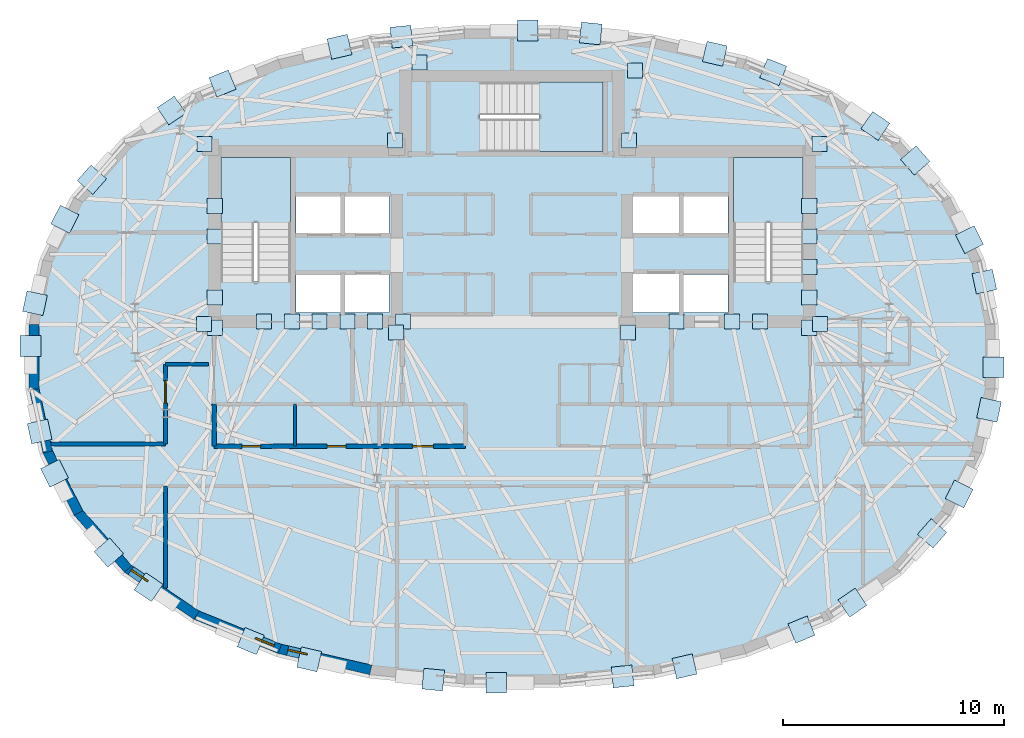
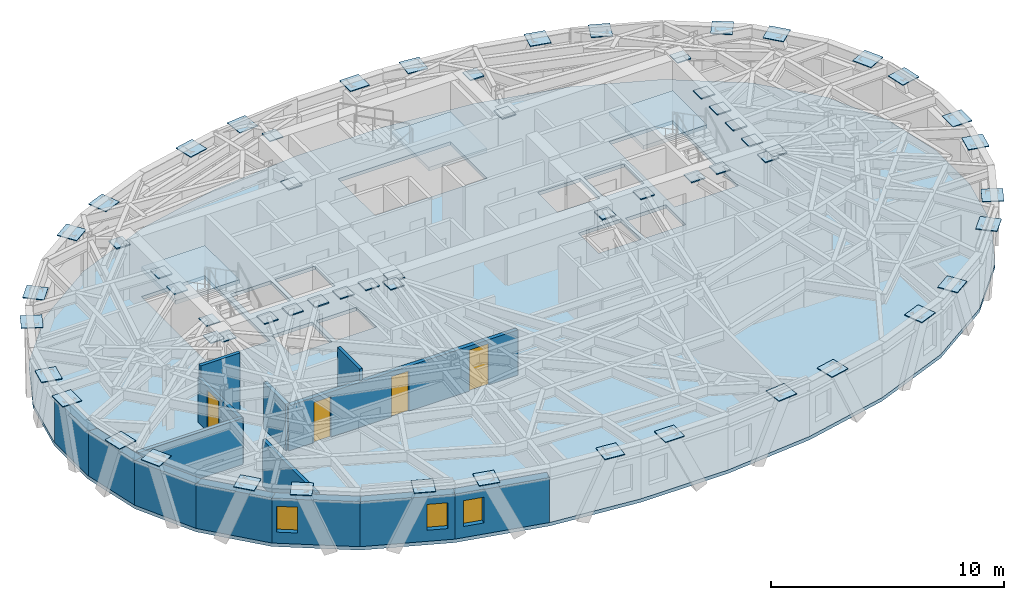
# One storey, part 5 of 12: 60 plates, 14 walls, 4 doors, 4 slabs, 3 windows, 7 openings, 3 elements without a shape of their own.
"""IFC4 building model written with IfcOpenShell, lengths in metres."""

from ifc_helpers import new_model, si_unit, direction, frame, frame_2d, origin, origin_2d, place, context, subcontext, project, spatial, polyline, rectangle, outline, extrude, material, layer, layer_set, type_object, element, fill, aggregate, save


model = new_model("IFC4")

# Units and contexts
model_context = context("Model", 3, precision=1e-05, world=origin(), true_north=direction((0.0, 1.0)))
body_context = subcontext(model_context, "Body", "Model", "MODEL_VIEW")
ifc_project = project(units=[si_unit("LENGTHUNIT", "METRE"), si_unit("AREAUNIT", "SQUARE_METRE"), si_unit("VOLUMEUNIT", "CUBIC_METRE"), si_unit("PLANEANGLEUNIT", "RADIAN"), si_unit("MASSUNIT", "GRAM", prefix="KILO")], contexts=[model_context])

# Site, building, storey
site_placement = place(None, origin())
site = spatial("IfcSite", under=ifc_project, at=site_placement, CompositionType="ELEMENT")
building_placement = place(site_placement, origin())
building = spatial("IfcBuilding", under=site, at=building_placement, Name="Keldmark Tower", CompositionType="ELEMENT")
storey_placement = place(building_placement, frame((0.0, 0.0, 238.35009765625)))
storey = spatial("IfcBuildingStorey", under=building, at=storey_placement, Name="L67", CompositionType="ELEMENT", Elevation=238.35009765625)

# Plates
ifc_material_1 = material(Name="Steel ASTM A572 Grade 50", Category="steel")
ifc_layer_1 = layer(ifc_material_1, 0.06005859375)
ifc_layer_set_1 = layer_set([ifc_layer_1], Name="Steel ASTM A572 Grade 50")
plate_type_1 = type_object("IfcPlateType", Name="Belt Truss Kink Node Assembly KN01 60 mm", PredefinedType="USERDEFINED", material=ifc_layer_set_1)
for number, where, z_axis, x_axis, name in (
    (1, (13.91162109375, 1.473388671875, 2.677734375), (0.0, 0.0, 1.0), (1.0, 0.0, 0.0), "L67 Core Wall Cast-In Embed Plate 1952"),
    (2, (13.878173828125, 9.608154296875, 2.677734375), (0.0, 0.0, 1.0), (1.0, 0.0, 0.0), "L67 Core Wall Cast-In Embed Plate 1953"),
    (3, (5.28515625, 9.758544921875, 2.677734375), (0.0, 0.0, 1.0), (1.0, 0.0, 0.0), "L67 Core Wall Cast-In Embed Plate 1954"),
    (4, (-5.28515625, 9.758544921875, 2.677734375), (0.0, 0.0, 1.0), (1.0, 0.0, 0.0), "L67 Core Wall Cast-In Embed Plate 1955"),
    (5, (-13.878173828125, 9.608154296875, 2.677734375), (0.0, 0.0, 1.0), (1.0, 0.0, 0.0), "L67 Core Wall Cast-In Embed Plate 1956"),
    (6, (-13.91162109375, 1.473388671875, 2.677734375), (0.0, 0.0, 1.0), (1.0, 0.0, 0.0), "L67 Core Wall Cast-In Embed Plate 1957"),
    (7, (-5.24072265625, 1.08251953125, 2.677734375), (0.0, 0.0, 1.0), (1.0, 0.0, 0.0), "L67 Core Wall Cast-In Embed Plate 1958"),
    (8, (5.24072265625, 1.08251953125, 2.677734375), (0.0, 0.0, 1.0), (1.0, 0.0, 0.0), "L67 Core Wall Cast-In Embed Plate 1959"),
    (9, (-13.425048828125, 5.425048828125, 2.673828125), (0.0, 0.0, 1.0), (1.0, 0.0, 0.0), "L67 Core Wall Cast-In Embed Plate 1960"),
    (10, (-11.19287109375, 1.574951171875, 2.673828125), (0.0, 0.0, 1.0), (1.0, 0.0, 0.0), "L67 Core Wall Cast-In Embed Plate 1961"),
    (11, (-7.43212890625, 1.574951171875, 2.673828125), (0.0, 0.0, 1.0), (1.0, 0.0, 0.0), "L67 Core Wall Cast-In Embed Plate 1962"),
    (12, (7.43212890625, 1.574951171875, 2.673828125), (0.0, 0.0, 1.0), (1.0, 0.0, 0.0), "L67 Core Wall Cast-In Embed Plate 1963"),
    (13, (11.19287109375, 1.574951171875, 2.673828125), (0.0, 0.0, 1.0), (1.0, 0.0, 0.0), "L67 Core Wall Cast-In Embed Plate 1964"),
    (14, (13.425048828125, 5.425048828125, 2.673828125), (0.0, 0.0, 1.0), (1.0, 0.0, 0.0), "L67 Core Wall Cast-In Embed Plate 1965"),
    (15, (-9.939208984375, 1.574951171875, 2.673828125), (0.0, 0.0, 1.0), (1.0, 0.0, 0.0), "L67 Core Wall Cast-In Embed Plate 1966"),
    (16, (-6.1787109375, 1.574951171875, 2.673828125), (0.0, 0.0, 1.0), (1.0, 0.0, 0.0), "L67 Core Wall Cast-In Embed Plate 1967"),
    (17, (9.939208984375, 1.574951171875, 2.673828125), (0.0, 0.0, 1.0), (1.0, 0.0, 0.0), "L67 Core Wall Cast-In Embed Plate 1968"),
    (18, (13.425048828125, 4.050048828125, 2.673828125), (0.0, 0.0, 1.0), (1.0, 0.0, 0.0), "L67 Core Wall Cast-In Embed Plate 1969"),
    (19, (13.425048828125, 6.800048828125, 2.673828125), (0.0, 0.0, 1.0), (1.0, 0.0, 0.0), "L67 Core Wall Cast-In Embed Plate 1970"),
    (20, (-13.425048828125, 2.675048828125, 2.673828125), (0.0, 0.0, 1.0), (1.0, 0.0, 0.0), "L67 Core Wall Cast-In Embed Plate 1971"),
    (21, (-8.685791015625, 1.574951171875, 2.673828125), (0.0, 0.0, 1.0), (1.0, 0.0, 0.0), "L67 Core Wall Cast-In Embed Plate 1972"),
    (22, (-13.425048828125, 1.300048828125, 2.673828125), (0.0, 0.0, 1.0), (1.0, 0.0, 0.0), "L67 Core Wall Cast-In Embed Plate 1973"),
    (23, (-4.925048828125, 1.574951171875, 2.673828125), (0.0, 0.0, 1.0), (1.0, 0.0, 0.0), "L67 Core Wall Cast-In Embed Plate 1974"),
    (24, (13.425048828125, 1.300048828125, 2.673828125), (0.0, 0.0, 1.0), (1.0, 0.0, 0.0), "L67 Core Wall Cast-In Embed Plate 1975"),
    (25, (13.425048828125, 2.675048828125, 2.673828125), (0.0, 0.0, 1.0), (1.0, 0.0, 0.0), "L67 Core Wall Cast-In Embed Plate 1976"),
    (26, (5.546142578125, 12.919921875, 2.673828125), (0.0, 0.0, 1.0), (1.0, 0.0, 0.0), "L67 Core Wall Cast-In Embed Plate 1977"),
    (27, (-4.1806640625, 13.272705078125, 2.673828125), (0.0, 0.0, 1.0), (1.0, 0.0, 0.0), "L67 Core Wall Cast-In Embed Plate 1978"),
    (28, (-13.425048828125, 6.800048828125, 2.673828125), (0.0, 0.0, 1.0), (1.0, 0.0, 0.0), "L67 Core Wall Cast-In Embed Plate 1979"),
):
    element("IfcPlate", number, at=place(storey_placement, frame(where, z_axis=z_axis, x_axis=x_axis)), inside=storey, type_object=plate_type_1, Name=name, ObjectType="CAP PLATE", PredefinedType="USERDEFINED", context=body_context, shape_type="SweptSolid", body=[
        extrude(rectangle(XDim=0.679931640625, YDim=0.679931640625, at=origin_2d()), origin(), (0.0, 0.0, 1.0), 0.054931640625),
    ])
ifc_material_2 = material(Name="Steel ASTM A572 Grade 50", Category="steel")
ifc_layer_2 = layer(ifc_material_2, 0.0400390625)
ifc_layer_set_2 = layer_set([ifc_layer_2], Name="Steel ASTM A572 Grade 50")
plate_type_2 = type_object("IfcPlateType", Name="Diagrid Node Assembly DN05 40 mm", PredefinedType="USERDEFINED", material=ifc_layer_set_2)
for number, where, z_axis, x_axis, name in (
    (29, (21.3330078125, 3.384765625, 2.829833984375), (0.0, 0.0, 1.0), (-0.210471759821, 0.977599937765, 0.0), "L67 Diagrid Node Assembly 01"),
    (30, (20.6572265625, 5.27685546875, 2.829833984375), (0.0, 0.0, 1.0), (-0.448539214018, 0.893763152903, 0.0), "L67 Diagrid Node Assembly 02"),
    (31, (18.20849609375, 8.85498046875, 2.829833984375), (0.0, 0.0, 1.0), (-0.661311865324, 0.75011106963, 0.0), "L67 Diagrid Node Assembly 03"),
    (32, (16.412109375, 10.412841796875, 2.829833984375), (0.0, 0.0, 1.0), (-0.827668733006, 0.561216953062, 0.0), "L67 Diagrid Node Assembly 04"),
    (33, (11.797119140625, 12.849609375, 2.829833984375), (0.0, 0.0, 1.0), (-0.92672549442, 0.375739082333, 0.0), "L67 Diagrid Node Assembly 05"),
    (34, (9.160400390625, 13.6748046875, 2.829833984375), (0.0, 0.0, 1.0), (-0.97440931131, 0.224780991261, 0.0), "L67 Diagrid Node Assembly 06"),
    (35, (3.556640625, 14.590087890625, 2.829833984375), (0.0, 0.0, 1.0), (-0.995124665732, 0.098625045759, 0.0), "L67 Diagrid Node Assembly 07"),
    (36, (0.710205078125, 14.72900390625, 2.829833984375), (0.0, 0.0, 1.0), (-1.0, 0.0, 0.0), "L67 Diagrid Node Assembly 08"),
    (37, (-4.994140625, 14.446533203125, 2.829833984375), (0.0, 0.0, 1.0), (-0.995124665732, -0.098625045759, 0.0), "L67 Diagrid Node Assembly 09"),
    (38, (-7.7900390625, 13.989013671875, 2.829833984375), (0.0, 0.0, 1.0), (-0.97440931131, -0.224780991261, 0.0), "L67 Diagrid Node Assembly 10"),
    (39, (-13.072265625, 12.330078125, 2.829833984375), (0.0, 0.0, 1.0), (-0.92672549442, -0.375739082333, 0.0), "L67 Diagrid Node Assembly 11"),
    (40, (-15.3740234375, 11.114013671875, 2.829833984375), (0.0, 0.0, 1.0), (-0.827668733006, -0.561216953062, 0.0), "L67 Diagrid Node Assembly 12"),
    (41, (-18.9716796875, 7.9873046875, 2.829833984375), (0.0, 0.0, 1.0), (-0.661311865324, -0.75011106963, 0.0), "L67 Diagrid Node Assembly 13"),
    (42, (-20.191650390625, 6.202392578125, 2.829833984375), (0.0, 0.0, 1.0), (-0.448539214018, -0.893763152903, 0.0), "L67 Diagrid Node Assembly 14"),
    (43, (-21.543701171875, 2.40625, 2.829833984375), (0.0, 0.0, 1.0), (-0.210471759821, -0.977599937765, 0.0), "L67 Diagrid Node Assembly 15"),
    (44, (-21.74951171875, 0.4794921875, 2.829833984375), (0.0, 0.0, 1.0), (0.0, -1.0, 0.0), "L67 Diagrid Node Assembly 16"),
    (45, (-21.3330078125, -3.384765625, 2.829833984375), (0.0, 0.0, 1.0), (0.210471759821, -0.977599937765, 0.0), "L67 Diagrid Node Assembly 17"),
    (46, (-20.6572265625, -5.27685546875, 2.829833984375), (0.0, 0.0, 1.0), (0.448539214018, -0.893763152903, 0.0), "L67 Diagrid Node Assembly 18"),
    (47, (-18.20849609375, -8.85498046875, 2.829833984375), (0.0, 0.0, 1.0), (0.661311865324, -0.75011106963, 0.0), "L67 Diagrid Node Assembly 19"),
    (48, (-16.412109375, -10.412841796875, 2.829833984375), (0.0, 0.0, 1.0), (0.827668733006, -0.561216953062, 0.0), "L67 Diagrid Node Assembly 20"),
    (49, (-11.797119140625, -12.849609375, 2.829833984375), (0.0, 0.0, 1.0), (0.92672549442, -0.375739082333, 0.0), "L67 Diagrid Node Assembly 21"),
    (50, (-9.160400390625, -13.6748046875, 2.829833984375), (0.0, 0.0, 1.0), (0.97440931131, -0.224780991261, 0.0), "L67 Diagrid Node Assembly 22"),
    (51, (-3.556640625, -14.590087890625, 2.829833984375), (0.0, 0.0, 1.0), (0.995124665732, -0.098625045759, 0.0), "L67 Diagrid Node Assembly 23"),
    (52, (-0.710205078125, -14.72900390625, 2.829833984375), (0.0, 0.0, 1.0), (1.0, 0.0, 0.0), "L67 Diagrid Node Assembly 24"),
    (53, (4.994140625, -14.446533203125, 2.829833984375), (0.0, 0.0, 1.0), (0.995124665732, 0.098625045759, 0.0), "L67 Diagrid Node Assembly 25"),
    (54, (7.7900390625, -13.989013671875, 2.829833984375), (0.0, 0.0, 1.0), (0.97440931131, 0.224780991261, 0.0), "L67 Diagrid Node Assembly 26"),
    (55, (13.072265625, -12.330078125, 2.829833984375), (0.0, 0.0, 1.0), (0.92672549442, 0.375739082333, 0.0), "L67 Diagrid Node Assembly 27"),
    (56, (15.3740234375, -11.114013671875, 2.829833984375), (0.0, 0.0, 1.0), (0.827668733006, 0.561216953062, 0.0), "L67 Diagrid Node Assembly 28"),
    (57, (18.9716796875, -7.9873046875, 2.829833984375), (0.0, 0.0, 1.0), (0.661311865324, 0.75011106963, 0.0), "L67 Diagrid Node Assembly 29"),
    (58, (20.191650390625, -6.202392578125, 2.829833984375), (0.0, 0.0, 1.0), (0.448539214018, 0.893763152903, 0.0), "L67 Diagrid Node Assembly 30"),
    (59, (21.543701171875, -2.40625, 2.829833984375), (0.0, 0.0, 1.0), (0.210471759821, 0.977599937765, 0.0), "L67 Diagrid Node Assembly 31"),
    (60, (21.74951171875, -0.4794921875, 2.829833984375), (0.0, 0.0, 1.0), (0.0, 1.0, 0.0), "L67 Diagrid Node Assembly 32"),
):
    element("IfcPlate", number, at=place(storey_placement, frame(where, z_axis=z_axis, x_axis=x_axis)), inside=storey, type_object=plate_type_2, Name=name, ObjectType="GUSSET", PredefinedType="USERDEFINED", context=body_context, shape_type="SweptSolid", body=[
        extrude(rectangle(XDim=0.93994140625, YDim=0.93994140625, at=origin_2d()), origin(), (0.0, 0.0, 1.0), 0.0400390625),
    ])

# Slab
ifc_material_3 = material(Name="Concrete C35/45", Category="concrete")
ifc_layer_3 = layer(ifc_material_3, 0.179931640625)
ifc_layer_set_3 = layer_set([ifc_layer_3], Name="Concrete C35/45")
slab_type_1 = type_object("IfcSlabType", Name="Hotel and Residential Slab 180 mm", PredefinedType="FLOOR", material=ifc_layer_set_3)
slab_1_placement = place(storey_placement, frame((0.0, 0.0, -0.18017578125)))
element("IfcSlab", 61, at=slab_1_placement, inside=storey, type_object=slab_type_1, Name="L67 Composite Structural Floor Slab", PredefinedType="FLOOR", context=body_context, shape_type="SweptSolid", body=[
    extrude(outline(polyline([(21.809326171875, 1.45654296875), (21.1845703125, 4.357666015625), (19.774658203125, 7.167236328125), (17.5048828125, 9.741455078125), (14.365966796875, 11.8701171875), (10.56982421875, 13.4091796875), (6.42626953125, 14.364990234375), (2.14794921875, 14.788818359375), (-2.14794921875, 14.788818359375), (-6.42626953125, 14.364990234375), (-10.56982421875, 13.4091796875), (-14.365966796875, 11.8701171875), (-17.5048828125, 9.741455078125), (-19.774658203125, 7.167236328125), (-21.1845703125, 4.357666015625), (-21.809326171875, 1.45654296875), (-21.809326171875, -1.45654296875), (-21.1845703125, -4.357666015625), (-19.774658203125, -7.167236328125), (-17.5048828125, -9.741455078125), (-14.365966796875, -11.8701171875), (-10.56982421875, -13.4091796875), (-6.42626953125, -14.364990234375), (-2.14794921875, -14.788818359375), (2.14794921875, -14.788818359375), (6.42626953125, -14.364990234375), (10.56982421875, -13.4091796875), (14.365966796875, -11.8701171875), (17.5048828125, -9.741455078125), (19.774658203125, -7.167236328125), (21.1845703125, -4.357666015625), (21.809326171875, -1.45654296875), (21.809326171875, 1.45654296875)]), holes=[polyline([(-10.0, 3.385009765625), (-10.0, 9.0), (-13.14990234375, 9.0), (-13.14990234375, 3.385009765625), (-10.0, 3.385009765625)]), polyline([(13.14990234375, 3.385009765625), (13.14990234375, 9.0), (10.0, 9.0), (10.0, 3.385009765625), (13.14990234375, 3.385009765625)]), polyline([(-1.43994140625, 9.25), (4.10498046875, 9.25), (4.10498046875, 12.39990234375), (-1.43994140625, 12.39990234375), (-1.43994140625, 9.25)]), polyline([(-9.75, 2.0), (-7.75, 2.0), (-7.75, 3.699951171875), (-9.75, 3.699951171875), (-9.75, 2.0)]), polyline([(7.75, 2.0), (9.75, 2.0), (9.75, 3.699951171875), (7.75, 3.699951171875), (7.75, 2.0)]), polyline([(5.449951171875, 2.0), (7.550048828125, 2.0), (7.550048828125, 3.75), (5.449951171875, 3.75), (5.449951171875, 2.0)]), polyline([(-9.75, 5.550048828125), (-7.75, 5.550048828125), (-7.75, 7.25), (-9.75, 7.25), (-9.75, 5.550048828125)]), polyline([(-7.550048828125, 5.550048828125), (-5.550048828125, 5.550048828125), (-5.550048828125, 7.25), (-7.550048828125, 7.25), (-7.550048828125, 5.550048828125)]), polyline([(-7.550048828125, 2.0), (-5.550048828125, 2.0), (-5.550048828125, 3.699951171875), (-7.550048828125, 3.699951171875), (-7.550048828125, 2.0)]), polyline([(5.449951171875, 5.550048828125), (7.550048828125, 5.550048828125), (7.550048828125, 7.25), (5.449951171875, 7.25), (5.449951171875, 5.550048828125)]), polyline([(7.75, 5.550048828125), (9.75, 5.550048828125), (9.75, 7.25), (7.75, 7.25), (7.75, 5.550048828125)])]), origin(), (0.0, 0.0, 1.0), 0.18017578125),
])

# Stair, slab
ifc_material_4 = material(Name="Concrete C40/50", Category="concrete")
stair_type = type_object("IfcStairType", Name="Precast Concrete Core Exit Stair", PredefinedType="HALF_TURN_STAIR", material=ifc_material_4)
stair_1_placement = place(storey_placement, origin())
stair_1 = element("IfcStair", 62, at=stair_1_placement, inside=storey, type_object=stair_type, Name="L67 Exit Stair ST1", PredefinedType="HALF_TURN_STAIR")
ifc_material_5 = material(Name="Concrete C40/50", Category="concrete")
ifc_layer_4 = layer(ifc_material_5, 0.199951171875)
ifc_layer_set_4 = layer_set([ifc_layer_4], Name="Concrete C40/50")
slab_type_2 = type_object("IfcSlabType", Name="Reinforced Concrete Stair Landing 200 mm", PredefinedType="LANDING", material=ifc_layer_set_4)
slab_2_placement = place(storey_placement, frame((0.0, 0.0, 1.375)))
slab_2 = element("IfcSlab", 63, at=slab_2_placement, type_object=slab_type_2, Name="ST1 landing 1", PredefinedType="LANDING", context=body_context, shape_type="SweptSolid", body=[
    extrude(outline(polyline([(-10.0, 6.050048828125), (-10.0, 9.0), (-13.14990234375, 9.0), (-13.14990234375, 6.050048828125), (-10.0, 6.050048828125)])), origin(), (0.0, 0.0, 1.0), 0.199951171875),
])
aggregate(stair_1, [slab_2])

stair_2_placement = place(storey_placement, origin())
stair_2 = element("IfcStair", 64, at=stair_2_placement, inside=storey, type_object=stair_type, Name="L67 Exit Stair ST2", PredefinedType="HALF_TURN_STAIR")
slab_3_placement = place(storey_placement, frame((0.0, 0.0, 1.375)))
slab_3 = element("IfcSlab", 65, at=slab_3_placement, type_object=slab_type_2, Name="ST2 landing 1", PredefinedType="LANDING", context=body_context, shape_type="SweptSolid", body=[
    extrude(outline(polyline([(13.14990234375, 6.050048828125), (13.14990234375, 9.0), (10.0, 9.0), (10.0, 6.050048828125), (13.14990234375, 6.050048828125)])), origin(), (0.0, 0.0, 1.0), 0.199951171875),
])
aggregate(stair_2, [slab_3])

stair_3_placement = place(storey_placement, origin())
stair_3 = element("IfcStair", 66, at=stair_3_placement, inside=storey, type_object=stair_type, Name="L67 Exit Stair ST3", PredefinedType="HALF_TURN_STAIR")
slab_4_placement = place(storey_placement, frame((0.0, 0.0, 1.375)))
slab_4 = element("IfcSlab", 67, at=slab_4_placement, type_object=slab_type_2, Name="ST3 landing 1", PredefinedType="LANDING", context=body_context, shape_type="SweptSolid", body=[
    extrude(outline(polyline([(1.22509765625, 9.25), (4.10498046875, 9.25), (4.10498046875, 12.39990234375), (1.22509765625, 12.39990234375), (1.22509765625, 9.25)])), origin(), (0.0, 0.0, 1.0), 0.199951171875),
])
aggregate(stair_3, [slab_4])

# Wall, openings, doors
ifc_material_6 = material(Name="Heavy Acoustic Plumbing Chase Gypsum Assembly", Category="gypsum")
ifc_layer_5 = layer(ifc_material_6, 0.18994140625)
ifc_layer_set_5 = layer_set([ifc_layer_5], Name="Heavy Acoustic Plumbing Chase Gypsum Assembly")
wall_type_1 = type_object("IfcWallType", Name="Heavy Wet Wall 190 mm", PredefinedType="PLUMBINGWALL", material=ifc_layer_set_5)
wall_1_placement = place(storey_placement, frame((-13.449951171875, -4.050048828125, 0.0), z_axis=(0.0, 0.0, 1.0), x_axis=(1.0, 0.0, 0.0)))
wall_1 = element("IfcWall", 68, at=wall_1_placement, inside=storey, type_object=wall_type_1, Name="L67 Heavy Wet Wall 190 mm SPK-W-S", PredefinedType="PLUMBINGWALL", context=body_context, shape_type="SweptSolid", body=[
    extrude(rectangle(XDim=11.349853515625, YDim=0.18994140625, at=frame_2d((5.6748046875, 0.0))), origin(), (0.0, 0.0, 1.0), 2.35693359375),
])
opening_1_placement = place(wall_1_placement, frame((1.25, 0.0, 0.0)))
opening_1 = element("IfcOpeningElement", 69, at=opening_1_placement, cuts=wall_1, Name="Opening D-WC085", PredefinedType="OPENING", context=body_context, shape_type="SweptSolid", body=[
    extrude(rectangle(XDim=0.85009765625, YDim=2.10009765625, at=frame_2d((0.425048828125, 1.050048828125))), frame((0.0, 0.10498046875, 0.0), z_axis=(0.0, -1.0, 0.0), x_axis=(1.0, 0.0, 0.0)), (0.0, 0.0, 1.0), 0.2099609375),
])
opening_2_placement = place(wall_1_placement, frame((5.10009765625, 0.0, 0.0)))
opening_2 = element("IfcOpeningElement", 70, at=opening_2_placement, cuts=wall_1, Name="Opening D-WC085", PredefinedType="OPENING", context=body_context, shape_type="SweptSolid", body=[
    extrude(rectangle(XDim=0.85009765625, YDim=2.10009765625, at=frame_2d((0.425048828125, 1.050048828125))), frame((0.0, 0.10498046875, 0.0), z_axis=(0.0, -1.0, 0.0), x_axis=(1.0, 0.0, 0.0)), (0.0, 0.0, 1.0), 0.2099609375),
])
opening_3_placement = place(wall_1_placement, frame((8.949951171875, 0.0, 0.0)))
opening_3 = element("IfcOpeningElement", 71, at=opening_3_placement, cuts=wall_1, Name="Opening D-AWC95", PredefinedType="OPENING", context=body_context, shape_type="SweptSolid", body=[
    extrude(rectangle(XDim=0.949951171875, YDim=2.14990234375, at=frame_2d((0.47509765625, 1.074951171875))), frame((0.0, 0.10498046875, 0.0), z_axis=(0.0, -1.0, 0.0), x_axis=(1.0, 0.0, 0.0)), (0.0, 0.0, 1.0), 0.2099609375),
])
ifc_material_7 = material(Name="Painted Solid-Core Architectural Wood", Category="wood")
door_type_1 = type_object("IfcDoorType", Name="Accessible WC Door 950x2150", OperationType="NOTDEFINED", PredefinedType="DOOR", material=ifc_material_7)
door_1_placement = place(opening_3_placement, origin())
door_1 = element("IfcDoor", 72, at=door_1_placement, inside=storey, type_object=door_type_1, Name="L67 Accessible WC Door 950x2150 D-SPKW3-L67", OperationType="SINGLE_SWING_LEFT", OverallHeight=2.14990234375, OverallWidth=0.949951171875, PredefinedType="DOOR", context=body_context, shape_type="SweptSolid", body=[
    extrude(rectangle(XDim=0.949951171875, YDim=2.14990234375, at=frame_2d((0.47509765625, 1.074951171875))), frame((0.0, 0.02490234375, 0.0), z_axis=(0.0, -1.0, 0.0), x_axis=(1.0, 0.0, 0.0)), (0.0, 0.0, 1.0), 0.050048828125),
])
fill(opening_3, door_1)
ifc_material_8 = material(Name="Moisture-Sealed Painted Wood", Category="wood")
door_type_2 = type_object("IfcDoorType", Name="WC Door 850x2100", OperationType="NOTDEFINED", PredefinedType="DOOR", material=ifc_material_8)
door_2_placement = place(opening_1_placement, origin())
door_2 = element("IfcDoor", 73, at=door_2_placement, inside=storey, type_object=door_type_2, Name="L67 WC Door 850x2100 D-SPKW1-L67", OperationType="SINGLE_SWING_LEFT", OverallHeight=2.10009765625, OverallWidth=0.85009765625, PredefinedType="DOOR", context=body_context, shape_type="SweptSolid", body=[
    extrude(rectangle(XDim=0.85009765625, YDim=2.10009765625, at=frame_2d((0.425048828125, 1.050048828125))), frame((0.0, 0.02490234375, 0.0), z_axis=(0.0, -1.0, 0.0), x_axis=(1.0, 0.0, 0.0)), (0.0, 0.0, 1.0), 0.050048828125),
])
fill(opening_1, door_2)
door_3_placement = place(opening_2_placement, origin())
door_3 = element("IfcDoor", 74, at=door_3_placement, inside=storey, type_object=door_type_2, Name="L67 WC Door 850x2100 D-SPKW2-L67", OperationType="SINGLE_SWING_RIGHT", OverallHeight=2.10009765625, OverallWidth=0.85009765625, PredefinedType="DOOR", context=body_context, shape_type="SweptSolid", body=[
    extrude(rectangle(XDim=0.85009765625, YDim=2.10009765625, at=frame_2d((0.425048828125, 1.050048828125))), frame((0.0, 0.02490234375, 0.0), z_axis=(0.0, -1.0, 0.0), x_axis=(1.0, 0.0, 0.0)), (0.0, 0.0, 1.0), 0.050048828125),
])
fill(opening_2, door_3)

# Walls
wall_2_placement = place(storey_placement, frame((-13.449951171875, -4.050048828125, 0.0), z_axis=(0.0, 0.0, 1.0), x_axis=(0.0, 1.0, 0.0)))
element("IfcWall", 75, at=wall_2_placement, inside=storey, type_object=wall_type_1, Name="L67 Heavy Wet Wall 190 mm SPK-W-W", PredefinedType="PLUMBINGWALL", context=body_context, shape_type="SweptSolid", body=[
    extrude(rectangle(XDim=1.900146484375, YDim=0.18994140625, at=frame_2d((0.9501953125, 0.0))), origin(), (0.0, 0.0, 1.0), 2.4228515625),
])
ifc_material_9 = material(Name="Type X Fire-Rated Gypsum Partition Assembly", Category="gypsum")
ifc_layer_6 = layer(ifc_material_9, 0.1650390625)
ifc_layer_set_6 = layer_set([ifc_layer_6], Name="Type X Fire-Rated Gypsum Partition Assembly")
wall_type_2 = type_object("IfcWallType", Name="Rated Partition 165 mm", PredefinedType="PARTITIONING", material=ifc_layer_set_6)
wall_3_placement = place(storey_placement, frame((-20.81396484375, -3.949951171875, 0.0), z_axis=(0.0, 0.0, 1.0), x_axis=(1.0, 0.0, 0.0)))
element("IfcWall", 76, at=wall_3_placement, inside=storey, type_object=wall_type_2, Name="L67 Rated Partition 165 mm RCOR-WN-OUT", PredefinedType="PARTITIONING", context=body_context, shape_type="SweptSolid", body=[
    extrude(rectangle(XDim=5.1640625, YDim=0.1650390625, at=frame_2d((2.58203125, 0.0))), origin(), (0.0, 0.0, 1.0), 2.4228515625),
])

# Wall, opening, door
wall_4_placement = place(storey_placement, frame((-15.64990234375, -3.949951171875, 0.0), z_axis=(0.0, 0.0, 1.0), x_axis=(0.0, 1.0, 0.0)))
wall_4 = element("IfcWall", 77, at=wall_4_placement, inside=storey, type_object=wall_type_2, Name="L67 Rated Partition 165 mm RCOR-VW", PredefinedType="PARTITIONING", context=body_context, shape_type="SweptSolid", body=[
    extrude(rectangle(XDim=3.599853515625, YDim=0.1650390625, at=frame_2d((1.7998046875, 0.0))), origin(), (0.0, 0.0, 1.0), 2.35693359375),
])
opening_4_placement = place(wall_4_placement, frame((1.85009765625, 0.0, 0.0)))
opening_4 = element("IfcOpeningElement", 78, at=opening_4_placement, cuts=wall_4, Name="Opening D-FD100", PredefinedType="OPENING", context=body_context, shape_type="SweptSolid", body=[
    extrude(rectangle(XDim=1.0, YDim=2.14990234375, at=frame_2d((0.5, 1.074951171875))), frame((0.0, 0.092529296875, 0.0), z_axis=(0.0, -1.0, 0.0), x_axis=(1.0, 0.0, 0.0)), (0.0, 0.0, 1.0), 0.18505859375),
])
ifc_material_10 = material(Name="Hollow Metal Fire-Rated Corridor Door", Category="metal")
door_type_3 = type_object("IfcDoorType", Name="Fire Door 1000x2150", OperationType="NOTDEFINED", PredefinedType="DOOR", material=ifc_material_10)
door_4_placement = place(opening_4_placement, origin())
door_4 = element("IfcDoor", 79, at=door_4_placement, inside=storey, type_object=door_type_3, Name="L67 Fire Door 1000x2150 D-RWM1-L67", OperationType="SINGLE_SWING_RIGHT", OverallHeight=2.14990234375, OverallWidth=1.0, PredefinedType="DOOR", context=body_context, shape_type="SweptSolid", body=[
    extrude(rectangle(XDim=1.0, YDim=2.14990234375, at=frame_2d((0.5, 1.074951171875))), frame((0.0, 0.02490234375, 0.0), z_axis=(0.0, -1.0, 0.0), x_axis=(1.0, 0.0, 0.0)), (0.0, 0.0, 1.0), 0.050048828125),
])
fill(opening_4, door_4)

# Walls
wall_5_placement = place(storey_placement, frame((-15.64990234375, -0.35009765625, 0.0), z_axis=(0.0, 0.0, 1.0), x_axis=(1.0, 0.0, 0.0)))
element("IfcWall", 80, at=wall_5_placement, inside=storey, type_object=wall_type_2, Name="L67 Rated Partition 165 mm RCOR-VWN", PredefinedType="PARTITIONING", context=body_context, shape_type="SweptSolid", body=[
    extrude(rectangle(XDim=1.949951171875, YDim=0.1650390625, at=frame_2d((0.97509765625, 0.0))), origin(), (0.0, 0.0, 1.0), 2.969970703125),
])
wall_6_placement = place(storey_placement, frame((-15.64990234375, -10.4580078125, 0.0), z_axis=(0.0, 0.0, 1.0), x_axis=(0.0, 1.0, 0.0)))
element("IfcWall", 81, at=wall_6_placement, inside=storey, type_object=wall_type_2, Name="L67 Rated Partition 165 mm RS-WCAP", PredefinedType="PARTITIONING", context=body_context, shape_type="SweptSolid", body=[
    extrude(rectangle(XDim=4.60791015625, YDim=0.1650390625, at=frame_2d((2.303955078125, 0.0))), origin(), (0.0, 0.0, 1.0), 2.4228515625),
])
ifc_material_11 = material(Name="Ironspot Manganese Brick and Kasota Buff Limestone Spandrel Assembly", Category="masonry")
ifc_layer_7 = layer(ifc_material_11, 0.43994140625)
ifc_layer_set_7 = layer_set([ifc_layer_7], Name="Ironspot Manganese Brick and Kasota Buff Limestone Spandrel Assembly")
wall_type_3 = type_object("IfcWallType", Name="Tower Brick Pier and Spandrel Wall 440 mm", PredefinedType="STANDARD", material=ifc_layer_set_7)
wall_7_placement = place(storey_placement, frame((-21.58935546875, -1.45654296875, 0.0), z_axis=(0.0, 0.0, 1.0), x_axis=(0.0, 1.0, 0.0)))
element("IfcWall", 82, at=wall_7_placement, inside=storey, type_object=wall_type_3, Name="L67 Exterior Brick and Spandrel Wall 16", PredefinedType="STANDARD", context=body_context, shape_type="SweptSolid", body=[
    extrude(rectangle(XDim=2.9130859375, YDim=0.43994140625, at=frame_2d((1.45654296875, 0.0))), origin(), (0.0, 0.0, 1.0), 2.3359375),
])
wall_8_placement = place(storey_placement, frame((-20.969482421875, -4.311279296875, 0.0), z_axis=(0.0, 0.0, 1.0), x_axis=(-0.210540350534, 0.977585168053, 0.0)))
element("IfcWall", 83, at=wall_8_placement, inside=storey, type_object=wall_type_3, Name="L67 Exterior Brick and Spandrel Wall 17", PredefinedType="STANDARD", context=body_context, shape_type="SweptSolid", body=[
    extrude(rectangle(XDim=2.96728515625, YDim=0.43994140625, at=frame_2d((1.483642578125, 0.0))), origin(), (0.0, 0.0, 1.0), 2.3359375),
])
wall_9_placement = place(storey_placement, frame((-19.578125, -7.068603515625, 0.0), z_axis=(0.0, 0.0, 1.0), x_axis=(-0.448424724145, 0.893820601002, 0.0)))
element("IfcWall", 84, at=wall_9_placement, inside=storey, type_object=wall_type_3, Name="L67 Exterior Brick and Spandrel Wall 18", PredefinedType="STANDARD", context=body_context, shape_type="SweptSolid", body=[
    extrude(rectangle(XDim=3.1435546875, YDim=0.43994140625, at=frame_2d((1.57177734375, 0.0))), origin(), (0.0, 0.0, 1.0), 2.3359375),
])
wall_10_placement = place(storey_placement, frame((-17.33984375, -9.595947265625, 0.0), z_axis=(0.0, 0.0, 1.0), x_axis=(-0.66136043846, 0.750068243855, 0.0)))
element("IfcWall", 85, at=wall_10_placement, inside=storey, type_object=wall_type_3, Name="L67 Exterior Brick and Spandrel Wall 19", PredefinedType="STANDARD", context=body_context, shape_type="SweptSolid", body=[
    extrude(rectangle(XDim=3.431884765625, YDim=0.43994140625, at=frame_2d((1.7158203125, 0.0))), origin(), (0.0, 0.0, 1.0), 2.3359375),
])

# Wall, opening, window
wall_11_placement = place(storey_placement, frame((-14.242431640625, -11.68798828125, 0.0), z_axis=(0.0, 0.0, 1.0), x_axis=(-0.827637036896, 0.561263694851, 0.0)))
wall_11 = element("IfcWall", 86, at=wall_11_placement, inside=storey, type_object=wall_type_3, Name="L67 Exterior Brick and Spandrel Wall 20", PredefinedType="STANDARD", context=body_context, shape_type="SweptSolid", body=[
    extrude(rectangle(XDim=3.792724609375, YDim=0.43994140625, at=frame_2d((1.896484375, 0.0))), origin(), (0.0, 0.0, 1.0), 2.3359375),
])
opening_5_placement = place(wall_11_placement, frame((2.692626953125, 0.0, 0.580078125)))
opening_5 = element("IfcOpeningElement", 87, at=opening_5_placement, cuts=wall_11, Name="Opening W-09", PredefinedType="OPENING", context=body_context, shape_type="SweptSolid", body=[
    extrude(rectangle(XDim=0.89990234375, YDim=1.35009765625, at=frame_2d((0.449951171875, 0.675048828125))), frame((0.0, 0.22998046875, 0.0), z_axis=(0.0, -1.0, 0.0), x_axis=(1.0, 0.0, 0.0)), (0.0, 0.0, 1.0), 0.4599609375),
])
ifc_material_12 = material(Name="Thermally Broken Anodized Aluminum and Triple Low-E Argon Glazing", Category="aluminium")
window_type = type_object("IfcWindowType", Name="Corner Pier Deep-Set Window 900x1350", PartitioningType="SINGLE_PANEL", PredefinedType="WINDOW", material=ifc_material_12)
window_1_placement = place(opening_5_placement, origin())
window_1 = element("IfcWindow", 88, at=window_1_placement, inside=storey, type_object=window_type, Name="L67 Deep-Set Window 20", OverallHeight=1.35009765625, OverallWidth=0.89990234375, PartitioningType="SINGLE_PANEL", PredefinedType="WINDOW", context=body_context, shape_type="SweptSolid", body=[
    extrude(rectangle(XDim=0.89990234375, YDim=1.35009765625, at=frame_2d((0.449951171875, 0.675048828125))), frame((0.0, -0.010009765625, 0.0), z_axis=(0.0, -1.0, 0.0), x_axis=(1.0, 0.0, 0.0)), (0.0, 0.0, 1.0), 0.06005859375),
])
fill(opening_5, window_1)

wall_12_placement = place(storey_placement, frame((-10.487060546875, -13.205078125, 0.0), z_axis=(0.0, 0.0, 1.0), x_axis=(-0.926731976866, 0.375723093586, 0.0)))
wall_12 = element("IfcWall", 89, at=wall_12_placement, inside=storey, type_object=wall_type_3, Name="L67 Exterior Brick and Spandrel Wall 21", PredefinedType="STANDARD", context=body_context, shape_type="SweptSolid", body=[
    extrude(rectangle(XDim=4.09619140625, YDim=0.43994140625, at=frame_2d((2.048095703125, 0.0))), origin(), (0.0, 0.0, 1.0), 2.3359375),
])
opening_6_placement = place(wall_12_placement, frame((0.2998046875, 0.0, 0.580078125)))
opening_6 = element("IfcOpeningElement", 90, at=opening_6_placement, cuts=wall_12, Name="Opening W-09", PredefinedType="OPENING", context=body_context, shape_type="SweptSolid", body=[
    extrude(rectangle(XDim=0.89990234375, YDim=1.35009765625, at=frame_2d((0.449951171875, 0.675048828125))), frame((0.0, 0.22998046875, 0.0), z_axis=(0.0, -1.0, 0.0), x_axis=(1.0, 0.0, 0.0)), (0.0, 0.0, 1.0), 0.4599609375),
])
window_2_placement = place(opening_6_placement, origin())
window_2 = element("IfcWindow", 91, at=window_2_placement, inside=storey, type_object=window_type, Name="L67 Deep-Set Window 21", OverallHeight=1.35009765625, OverallWidth=0.89990234375, PartitioningType="SINGLE_PANEL", PredefinedType="WINDOW", context=body_context, shape_type="SweptSolid", body=[
    extrude(rectangle(XDim=0.89990234375, YDim=1.35009765625, at=frame_2d((0.449951171875, 0.675048828125))), frame((0.0, -0.010009765625, 0.0), z_axis=(0.0, -1.0, 0.0), x_axis=(1.0, 0.0, 0.0)), (0.0, 0.0, 1.0), 0.06005859375),
])
fill(opening_6, window_2)

wall_13_placement = place(storey_placement, frame((-6.376708984375, -14.150634765625, 0.0), z_axis=(0.0, 0.0, 1.0), x_axis=(-0.974398936081, 0.224825962391, 0.0)))
wall_13 = element("IfcWall", 92, at=wall_13_placement, inside=storey, type_object=wall_type_3, Name="L67 Exterior Brick and Spandrel Wall 22", PredefinedType="STANDARD", context=body_context, shape_type="SweptSolid", body=[
    extrude(rectangle(XDim=4.25244140625, YDim=0.43994140625, at=frame_2d((2.126220703125, 0.0))), origin(), (0.0, 0.0, 1.0), 2.3359375),
])
opening_7_placement = place(wall_13_placement, frame((2.95556640625, 0.0, 0.580078125)))
opening_7 = element("IfcOpeningElement", 93, at=opening_7_placement, cuts=wall_13, Name="Opening W-09", PredefinedType="OPENING", context=body_context, shape_type="SweptSolid", body=[
    extrude(rectangle(XDim=0.89990234375, YDim=1.35009765625, at=frame_2d((0.449951171875, 0.675048828125))), frame((0.0, 0.22998046875, 0.0), z_axis=(0.0, -1.0, 0.0), x_axis=(1.0, 0.0, 0.0)), (0.0, 0.0, 1.0), 0.4599609375),
])
window_3_placement = place(opening_7_placement, origin())
window_3 = element("IfcWindow", 94, at=window_3_placement, inside=storey, type_object=window_type, Name="L67 Deep-Set Window 22", OverallHeight=1.35009765625, OverallWidth=0.89990234375, PartitioningType="SINGLE_PANEL", PredefinedType="WINDOW", context=body_context, shape_type="SweptSolid", body=[
    extrude(rectangle(XDim=0.89990234375, YDim=1.35009765625, at=frame_2d((0.449951171875, 0.675048828125))), frame((0.0, -0.010009765625, 0.0), z_axis=(0.0, -1.0, 0.0), x_axis=(1.0, 0.0, 0.0)), (0.0, 0.0, 1.0), 0.06005859375),
])
fill(opening_7, window_3)

# Wall
ifc_material_13 = material(Name="Moisture-Resistant Gypsum Plumbing Partition", Category="gypsum")
ifc_layer_8 = layer(ifc_material_13, 0.14990234375)
ifc_layer_set_8 = layer_set([ifc_layer_8], Name="Moisture-Resistant Gypsum Plumbing Partition")
wall_type_4 = type_object("IfcWallType", Name="Wet Wall 150 mm", PredefinedType="PLUMBINGWALL", material=ifc_layer_set_8)
wall_14_placement = place(storey_placement, frame((-9.800048828125, -4.050048828125, 0.0), z_axis=(0.0, 0.0, 1.0), x_axis=(0.0, 1.0, 0.0)))
element("IfcWall", 95, at=wall_14_placement, inside=storey, type_object=wall_type_4, Name="L67 Wet Wall 150 mm SPK-W-D1", PredefinedType="PLUMBINGWALL", context=body_context, shape_type="SweptSolid", body=[
    extrude(rectangle(XDim=1.900146484375, YDim=0.14990234375, at=frame_2d((0.9501953125, 0.0))), origin(), (0.0, 0.0, 1.0), 2.969970703125),
])

save(model, "model.ifc")
